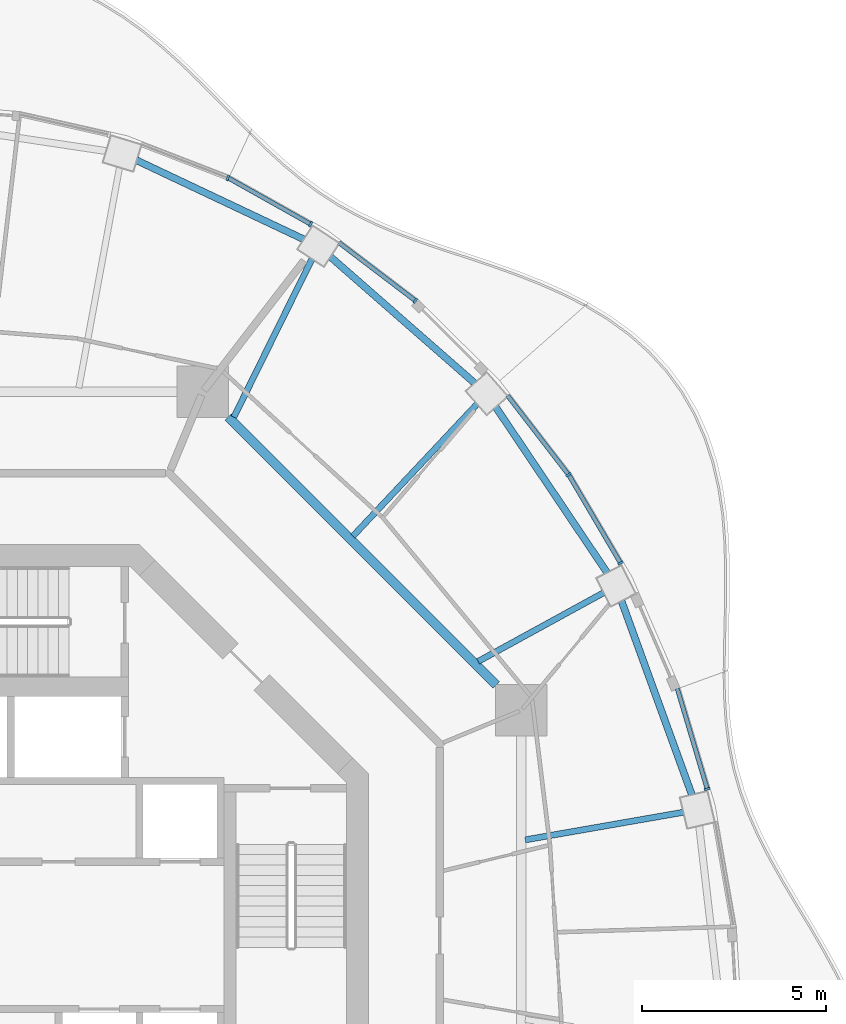
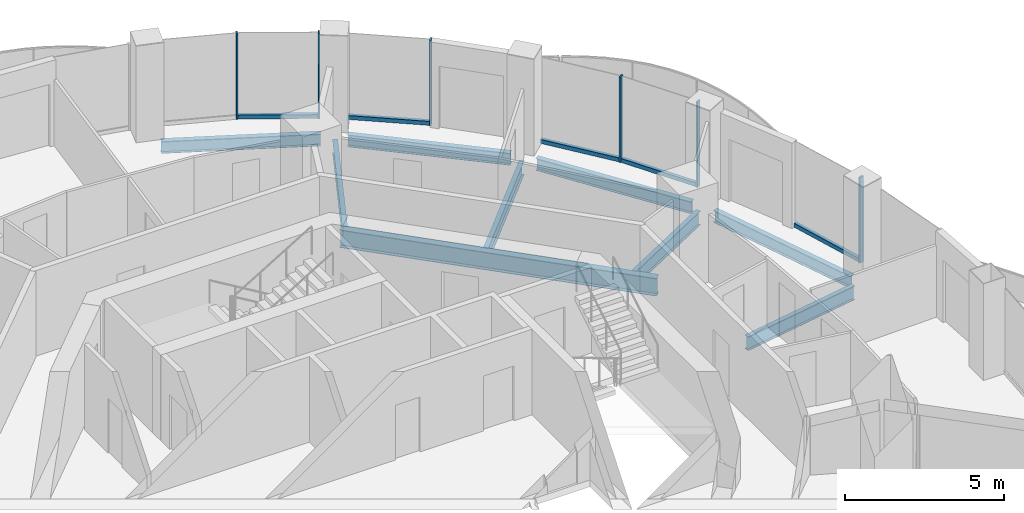
# One storey, part 7 of 17: 11 members, 9 beams, 6 elements without a shape of their own.
"""IFC4 building model written with IfcOpenShell, lengths in metres."""

from ifc_helpers import new_model, si_unit, direction, frame, origin, origin_2d, place, context, subcontext, project, spatial, rectangle, i_section, extrude, material, layer, layer_set, material_profile, profile_set, type_object, element, aggregate, save


model = new_model("IFC4")

# Units and contexts
model_context = context("Model", 3, precision=1e-05, world=origin(), true_north=direction((0.0, 1.0)))
body_context = subcontext(model_context, "Body", "Model", "MODEL_VIEW")
ifc_project = project(units=[si_unit("LENGTHUNIT", "METRE"), si_unit("AREAUNIT", "SQUARE_METRE"), si_unit("VOLUMEUNIT", "CUBIC_METRE"), si_unit("PLANEANGLEUNIT", "RADIAN"), si_unit("MASSUNIT", "GRAM", prefix="KILO")], contexts=[model_context])

# Site, building, storey
site_placement = place(None, origin())
site = spatial("IfcSite", under=ifc_project, at=site_placement, CompositionType="ELEMENT")
building_placement = place(site_placement, origin())
building = spatial("IfcBuilding", under=site, at=building_placement, Name="Nagisa Residences", CompositionType="ELEMENT")
storey_placement = place(building_placement, frame((0.0, 0.0, 295.5)))
storey = spatial("IfcBuildingStorey", under=building, at=storey_placement, Name="L75", CompositionType="ELEMENT", Elevation=295.5)

# Curtain wall, member
ifc_material_1 = material(Name="Concrete-coloured aluminium curtain wall system", Category="concrete")
ifc_layer = layer(ifc_material_1, 0.159912109375)
ifc_layer_set = layer_set([ifc_layer], Name="CW1 CURTAIN WALL")
curtain_wall_type = type_object("IfcCurtainWallType", Name="CW1 CURTAIN WALL", PredefinedType="NOTDEFINED", material=ifc_layer_set)
curtain_wall_1_placement = place(storey_placement, origin())
curtain_wall_1 = element("IfcCurtainWall", 1, at=curtain_wall_1_placement, inside=storey, type_object=curtain_wall_type, Name="cw:CW1:L75:02", PredefinedType="NOTDEFINED")
ifc_material_2 = material(Name="Concrete-coloured aluminium", Category="concrete")
ifc_material_profile_1 = material_profile(ifc_material_2, rectangle(XDim=0.159912109375, YDim=0.06005859375, at=origin_2d()), Name="CW1 MULLION 160x60")
ifc_profile_set_1 = profile_set([ifc_material_profile_1], Name="Concrete-coloured aluminium")
member_type_1 = type_object("IfcMemberType", Name="CW1 MULLION 160x60", PredefinedType="MULLION", material=ifc_profile_set_1)
member_1_placement = place(storey_placement, frame((19.83544921875, 3.9814453125, 0.0), z_axis=(0.0, 0.0, 1.0), x_axis=(-0.958271310082, -0.285860274038, 0.0)))
member_1 = element("IfcMember", 2, at=member_1_placement, type_object=member_type_1, Name="CW1 mullion", PredefinedType="MULLION", context=body_context, shape_type="SweptSolid", body=[
    extrude(rectangle(XDim=0.159912109375, YDim=0.06005859375, at=origin_2d()), origin(), (0.0, 0.0, 1.0), 3.280029296875),
])

curtain_wall_2_placement = place(storey_placement, origin())
curtain_wall_2 = element("IfcCurtainWall", 3, at=curtain_wall_2_placement, inside=storey, type_object=curtain_wall_type, Name="cw:CW1:L75:04", PredefinedType="NOTDEFINED")
member_2_placement = place(storey_placement, frame((17.4775390625, 10.125732421875, 0.0), z_axis=(0.0, 0.0, 1.0), x_axis=(-0.862328898214, -0.506348567002, 0.0)))
member_2 = element("IfcMember", 4, at=member_2_placement, type_object=member_type_1, Name="CW1 mullion", PredefinedType="MULLION", context=body_context, shape_type="SweptSolid", body=[
    extrude(rectangle(XDim=0.159912109375, YDim=0.06005859375, at=origin_2d()), origin(), (0.0, 0.0, 1.0), 3.280029296875),
])

curtain_wall_3_placement = place(storey_placement, origin())
curtain_wall_3 = element("IfcCurtainWall", 5, at=curtain_wall_3_placement, inside=storey, type_object=curtain_wall_type, Name="cw:CW1:L75:05", PredefinedType="NOTDEFINED")
member_3_placement = place(storey_placement, frame((16.06396484375, 12.52685546875, 0.0), z_axis=(0.0, 0.0, 1.0), x_axis=(-0.792070340816, -0.610429828235, 0.0)))
member_3 = element("IfcMember", 6, at=member_3_placement, type_object=member_type_1, Name="CW1 mullion", PredefinedType="MULLION", context=body_context, shape_type="SweptSolid", body=[
    extrude(rectangle(XDim=0.159912109375, YDim=0.06005859375, at=origin_2d()), origin(), (0.0, 0.0, 1.0), 3.280029296875),
])

curtain_wall_4_placement = place(storey_placement, origin())
curtain_wall_4 = element("IfcCurtainWall", 7, at=curtain_wall_4_placement, inside=storey, type_object=curtain_wall_type, Name="cw:CW1:L75:07", PredefinedType="NOTDEFINED")
member_4_placement = place(storey_placement, frame((11.89794921875, 17.2578125, 0.0), z_axis=(0.0, 0.0, 1.0), x_axis=(-0.605255421737, -0.79603132756, 0.0)))
member_4 = element("IfcMember", 8, at=member_4_placement, type_object=member_type_1, Name="CW1 mullion", PredefinedType="MULLION", context=body_context, shape_type="SweptSolid", body=[
    extrude(rectangle(XDim=0.159912109375, YDim=0.06005859375, at=origin_2d()), origin(), (0.0, 0.0, 1.0), 3.280029296875),
])

curtain_wall_5_placement = place(storey_placement, origin())
curtain_wall_5 = element("IfcCurtainWall", 9, at=curtain_wall_5_placement, inside=storey, type_object=curtain_wall_type, Name="cw:CW1:L75:08", PredefinedType="NOTDEFINED")
member_5_placement = place(storey_placement, frame((9.05224609375, 19.3388671875, 0.0), z_axis=(0.0, 0.0, 1.0), x_axis=(-0.489376918501, -0.872072377523, 0.0)))
member_5 = element("IfcMember", 10, at=member_5_placement, type_object=member_type_1, Name="CW1 mullion", PredefinedType="MULLION", context=body_context, shape_type="SweptSolid", body=[
    extrude(rectangle(XDim=0.159912109375, YDim=0.06005859375, at=origin_2d()), origin(), (0.0, 0.0, 1.0), 3.280029296875),
])

curtain_wall_6_placement = place(storey_placement, origin())
curtain_wall_6 = element("IfcCurtainWall", 11, at=curtain_wall_6_placement, inside=storey, type_object=curtain_wall_type, Name="cw:CW1:L75:09", PredefinedType="NOTDEFINED")
member_6_placement = place(storey_placement, frame((6.799560546875, 20.59912109375, 0.0), z_axis=(0.0, 0.0, 1.0), x_axis=(-0.360327770268, -0.932825759707, 0.0)))
member_6 = element("IfcMember", 12, at=member_6_placement, type_object=member_type_1, Name="CW1 mullion", PredefinedType="MULLION", context=body_context, shape_type="SweptSolid", body=[
    extrude(rectangle(XDim=0.159912109375, YDim=0.06005859375, at=origin_2d()), origin(), (0.0, 0.0, 1.0), 3.280029296875),
])
aggregate(curtain_wall_6, [member_6])

# Member
ifc_material_3 = material(Name="Concrete-coloured aluminium", Category="concrete")
ifc_material_profile_2 = material_profile(ifc_material_3, rectangle(XDim=0.1201171875, YDim=0.14990234375, at=origin_2d()), Name="CW1 TRANSOM 120x150")
ifc_profile_set_2 = profile_set([ifc_material_profile_2], Name="Concrete-coloured aluminium")
member_type_2 = type_object("IfcMemberType", Name="CW1 TRANSOM 120x150", PredefinedType="USERDEFINED", material=ifc_profile_set_2)
member_7_placement = place(storey_placement, frame((19.843994140625, 3.95263671875, 0.074951171875), z_axis=(-0.285876209024, 0.9582665564, 0.0), x_axis=(-0.9582665564, -0.285876209024, 0.0)))
member_7 = element("IfcMember", 13, at=member_7_placement, type_object=member_type_2, Name="CW1 transom", ObjectType="TRANSOM", PredefinedType="USERDEFINED", context=body_context, shape_type="SweptSolid", body=[
    extrude(rectangle(XDim=0.1201171875, YDim=0.14990234375, at=origin_2d()), origin(), (0.0, 0.0, 1.0), 2.877197265625),
])

aggregate(curtain_wall_1, [member_1, member_7])

member_8_placement = place(storey_placement, frame((17.49267578125, 10.099853515625, 0.074951171875), z_axis=(-0.506371364425, 0.862315511452, 0.0), x_axis=(-0.862315511452, -0.506371364425, 0.0)))
member_8 = element("IfcMember", 14, at=member_8_placement, type_object=member_type_2, Name="CW1 transom", ObjectType="TRANSOM", PredefinedType="USERDEFINED", context=body_context, shape_type="SweptSolid", body=[
    extrude(rectangle(XDim=0.1201171875, YDim=0.14990234375, at=origin_2d()), origin(), (0.0, 0.0, 1.0), 2.79638671875),
])

aggregate(curtain_wall_2, [member_2, member_8])

member_9_placement = place(storey_placement, frame((16.082275390625, 12.5029296875, 0.074951171875), z_axis=(-0.610432336622, 0.792068407656, 0.0), x_axis=(-0.792068407656, -0.610432336622, 0.0)))
member_9 = element("IfcMember", 15, at=member_9_placement, type_object=member_type_2, Name="CW1 transom", ObjectType="TRANSOM", PredefinedType="USERDEFINED", context=body_context, shape_type="SweptSolid", body=[
    extrude(rectangle(XDim=0.1201171875, YDim=0.14990234375, at=origin_2d()), origin(), (0.0, 0.0, 1.0), 2.74609375),
])

aggregate(curtain_wall_3, [member_3, member_9])

member_10_placement = place(storey_placement, frame((11.921875, 17.239501953125, 0.074951171875), z_axis=(-0.796055284084, 0.605223912847, 0.0), x_axis=(-0.605223912847, -0.796055284084, 0.0)))
member_10 = element("IfcMember", 16, at=member_10_placement, type_object=member_type_2, Name="CW1 transom", ObjectType="TRANSOM", PredefinedType="USERDEFINED", context=body_context, shape_type="SweptSolid", body=[
    extrude(rectangle(XDim=0.1201171875, YDim=0.14990234375, at=origin_2d()), origin(), (0.0, 0.0, 1.0), 2.640625),
])

aggregate(curtain_wall_4, [member_4, member_10])

member_11_placement = place(storey_placement, frame((9.078369140625, 19.32421875, 0.074951171875), z_axis=(-0.872052877201, 0.489411666561, 0.0), x_axis=(-0.489411666561, -0.872052877201, 0.0)))
member_11 = element("IfcMember", 17, at=member_11_placement, type_object=member_type_2, Name="CW1 transom", ObjectType="TRANSOM", PredefinedType="USERDEFINED", context=body_context, shape_type="SweptSolid", body=[
    extrude(rectangle(XDim=0.1201171875, YDim=0.14990234375, at=origin_2d()), origin(), (0.0, 0.0, 1.0), 2.593017578125),
])

aggregate(curtain_wall_5, [member_5, member_11])

# Beams
ifc_material_4 = material(Name="Steel ASTM A572 Gr 50", Category="steel")
ifc_material_profile_3 = material_profile(ifc_material_4, i_section(OverallWidth=0.2529296875, OverallDepth=0.677978515625, WebThickness=0.01171875, FlangeThickness=0.016357421875, at=origin_2d()), Name="W690x125")
ifc_profile_set_3 = profile_set([ifc_material_profile_3], Name="Steel ASTM A572 Gr 50")
beam_type_1 = type_object("IfcBeamType", Name="Inner ring beam W690x125", PredefinedType="BEAM", material=ifc_profile_set_3)
beam_1_placement = place(storey_placement, frame((14.09619140625, 6.808837890625, -0.59912109375), z_axis=(-0.707106781187, 0.707106781187, 0.0), x_axis=(-0.707106781187, -0.707106781187, 0.0)))
element("IfcBeam", 18, at=beam_1_placement, inside=storey, type_object=beam_type_1, Name="beam:L75:ib1", PredefinedType="BEAM", context=body_context, shape_type="SweptSolid", body=[
    extrude(i_section(OverallWidth=0.2529296875, OverallDepth=0.677978515625, WebThickness=0.01171875, FlangeThickness=0.016357421875, at=origin_2d()), origin(), (0.0, 0.0, 1.0), 10.305908203125),
])
ifc_material_5 = material(Name="Steel ASTM A572 Gr 50", Category="steel")
ifc_material_profile_4 = material_profile(ifc_material_5, i_section(OverallWidth=0.18994140625, OverallDepth=0.45703125, WebThickness=0.009033203125, FlangeThickness=0.014404296875, at=origin_2d()), Name="W460x74")
ifc_profile_set_4 = profile_set([ifc_material_profile_4], Name="Steel ASTM A572 Gr 50")
beam_type_2 = type_object("IfcBeamType", Name="Perimeter ring beam W460x74", PredefinedType="BEAM", material=ifc_profile_set_4)
beam_2_placement = place(storey_placement, frame((19.41845703125, 3.822021484375, -0.488525390625), z_axis=(-0.341211850477, 0.93998642176, 0.0), x_axis=(-0.93998642176, -0.341211850477, 0.0)))
element("IfcBeam", 19, at=beam_2_placement, inside=storey, type_object=beam_type_2, Name="beam:L75:pb02", PredefinedType="BEAM", context=body_context, shape_type="SweptSolid", body=[
    extrude(i_section(OverallWidth=0.18994140625, OverallDepth=0.45703125, WebThickness=0.009033203125, FlangeThickness=0.014404296875, at=origin_2d()), origin(), (0.0, 0.0, 1.0), 5.609619140625),
])
beam_3_placement = place(storey_placement, frame((17.11474609375, 9.862060546875, -0.488525390625), z_axis=(-0.558066424866, 0.829796279479, 0.0), x_axis=(-0.829796279479, -0.558066424866, 0.0)))
element("IfcBeam", 20, at=beam_3_placement, inside=storey, type_object=beam_type_2, Name="beam:L75:pb03", PredefinedType="BEAM", context=body_context, shape_type="SweptSolid", body=[
    extrude(i_section(OverallWidth=0.18994140625, OverallDepth=0.45703125, WebThickness=0.009033203125, FlangeThickness=0.014404296875, at=origin_2d()), origin(), (0.0, 0.0, 1.0), 5.43212890625),
])
beam_4_placement = place(storey_placement, frame((13.514892578125, 15.015380859375, -0.488525390625), z_axis=(-0.752385480596, 0.658723074279, 0.0), x_axis=(-0.658723074279, -0.752385480596, 0.0)))
element("IfcBeam", 21, at=beam_4_placement, inside=storey, type_object=beam_type_2, Name="beam:L75:pb04", PredefinedType="BEAM", context=body_context, shape_type="SweptSolid", body=[
    extrude(i_section(OverallWidth=0.18994140625, OverallDepth=0.45703125, WebThickness=0.009033203125, FlangeThickness=0.014404296875, at=origin_2d()), origin(), (0.0, 0.0, 1.0), 5.220947265625),
])
beam_5_placement = place(storey_placement, frame((8.8671875, 18.926513671875, -0.488525390625), z_axis=(-0.904115893837, 0.427287316113, 0.0), x_axis=(-0.427287316113, -0.904115893837, 0.0)))
element("IfcBeam", 22, at=beam_5_placement, inside=storey, type_object=beam_type_2, Name="beam:L75:pb05", PredefinedType="BEAM", context=body_context, shape_type="SweptSolid", body=[
    extrude(i_section(OverallWidth=0.18994140625, OverallDepth=0.45703125, WebThickness=0.009033203125, FlangeThickness=0.014404296875, at=origin_2d()), origin(), (0.0, 0.0, 1.0), 5.031494140625),
])
ifc_material_6 = material(Name="Steel ASTM A572 Gr 50", Category="steel")
ifc_material_profile_5 = material_profile(ifc_material_6, i_section(OverallWidth=0.166015625, OverallDepth=0.534912109375, WebThickness=0.01025390625, FlangeThickness=0.0166015625, at=origin_2d()), Name="W530x85")
ifc_profile_set_5 = profile_set([ifc_material_profile_5], Name="Steel ASTM A572 Gr 50")
beam_type_3 = type_object("IfcBeamType", Name="Radial beam W530x85", PredefinedType="BEAM", material=ifc_profile_set_5)
beam_6_placement = place(storey_placement, frame((19.191162109375, 3.349365234375, -0.527587890625), z_axis=(-0.985114356534, -0.171900275017, 0.0), x_axis=(0.171900275017, -0.985114356534, 0.0)))
element("IfcBeam", 23, at=beam_6_placement, inside=storey, type_object=beam_type_3, Name="beam:L75:rb02", PredefinedType="BEAM", context=body_context, shape_type="SweptSolid", body=[
    extrude(i_section(OverallWidth=0.166015625, OverallDepth=0.534912109375, WebThickness=0.01025390625, FlangeThickness=0.0166015625, at=origin_2d()), origin(), (0.0, 0.0, 1.0), 4.3671875),
])
beam_7_placement = place(storey_placement, frame((17.02294921875, 9.31982421875, -0.527587890625), z_axis=(-0.877142169669, -0.480230792628, 0.0), x_axis=(0.480230792628, -0.877142169669, 0.0)))
element("IfcBeam", 24, at=beam_7_placement, inside=storey, type_object=beam_type_3, Name="beam:L75:rb03", PredefinedType="BEAM", context=body_context, shape_type="SweptSolid", body=[
    extrude(i_section(OverallWidth=0.166015625, OverallDepth=0.534912109375, WebThickness=0.01025390625, FlangeThickness=0.0166015625, at=origin_2d()), origin(), (0.0, 0.0, 1.0), 3.894287109375),
])
beam_8_placement = place(storey_placement, frame((13.579833984375, 14.451416015625, -0.527587890625), z_axis=(-0.684799688268, -0.728731354442, 0.0), x_axis=(0.728731354442, -0.684799688268, 0.0)))
element("IfcBeam", 25, at=beam_8_placement, inside=storey, type_object=beam_type_3, Name="beam:L75:rb04", PredefinedType="BEAM", context=body_context, shape_type="SweptSolid", body=[
    extrude(i_section(OverallWidth=0.166015625, OverallDepth=0.534912109375, WebThickness=0.01025390625, FlangeThickness=0.0166015625, at=origin_2d()), origin(), (0.0, 0.0, 1.0), 4.934814453125),
])
beam_9_placement = place(storey_placement, frame((9.09033203125, 18.3974609375, -0.527587890625), z_axis=(-0.442997846128, -0.896522675857, 0.0), x_axis=(0.896522675857, -0.442997846128, 0.0)))
element("IfcBeam", 26, at=beam_9_placement, inside=storey, type_object=beam_type_3, Name="beam:L75:rb05", PredefinedType="BEAM", context=body_context, shape_type="SweptSolid", body=[
    extrude(i_section(OverallWidth=0.166015625, OverallDepth=0.534912109375, WebThickness=0.01025390625, FlangeThickness=0.0166015625, at=origin_2d()), origin(), (0.0, 0.0, 1.0), 4.80078125),
])

save(model, "model.ifc")
